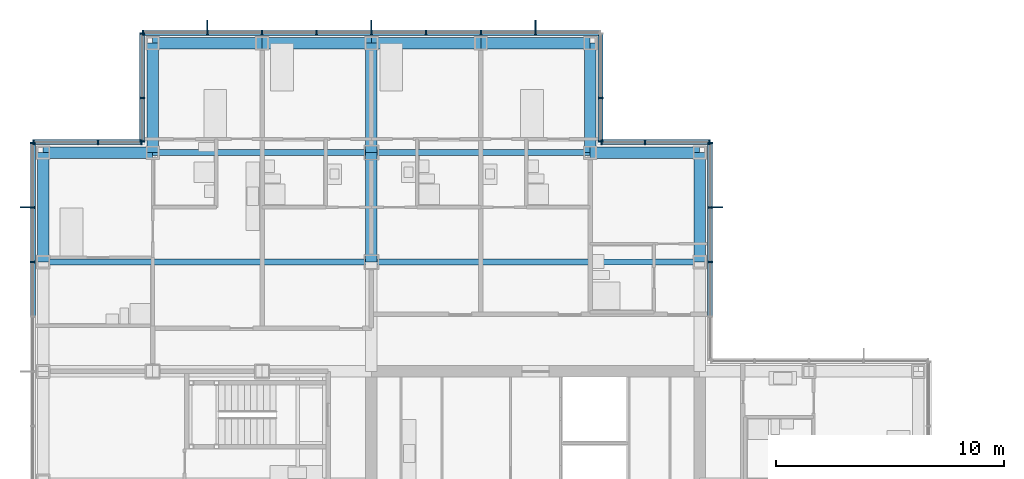
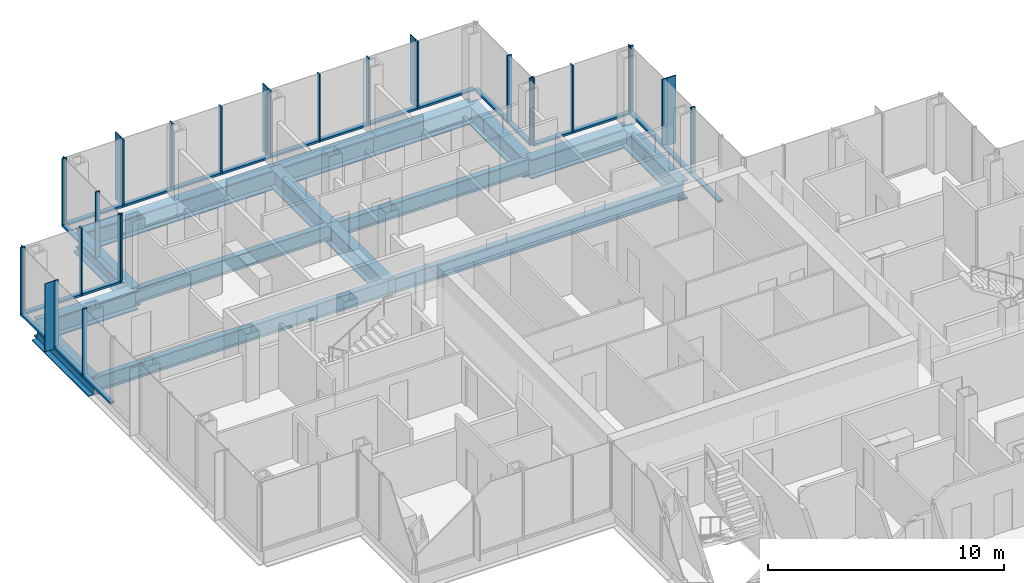
# One storey, part 10 of 20: 52 members, 16 beams, 7 elements without a shape of their own.
"""IFC4 building model written with IfcOpenShell, lengths in metres."""

from ifc_helpers import new_model, si_unit, direction, frame, origin, origin_2d, place, context, subcontext, project, spatial, rectangle, i_section, extrude, material, material_profile, profile_set, type_object, element, aggregate, save


model = new_model("IFC4")

# Units and contexts
model_context = context("Model", 3, precision=1e-05, world=origin(), true_north=direction((0.0, 1.0)))
body_context = subcontext(model_context, "Body", "Model", "MODEL_VIEW")
ifc_project = project(units=[si_unit("LENGTHUNIT", "METRE"), si_unit("AREAUNIT", "SQUARE_METRE"), si_unit("VOLUMEUNIT", "CUBIC_METRE"), si_unit("PLANEANGLEUNIT", "RADIAN"), si_unit("MASSUNIT", "GRAM", prefix="KILO")], contexts=[model_context])

# Site, building, storey
site_placement = place(None, origin())
site = spatial("IfcSite", under=ifc_project, at=site_placement, CompositionType="ELEMENT")
building_placement = place(site_placement, origin())
building = spatial("IfcBuilding", under=site, at=building_placement, Name="Kvirike Care Tower", CompositionType="ELEMENT")
storey_placement = place(building_placement, frame((0.0, 0.0, 122.5)))
storey = spatial("IfcBuildingStorey", under=building, at=storey_placement, Name="L33", CompositionType="ELEMENT", Elevation=122.5)

# Curtain wall, member
ifc_material_1 = material(Name="Anodised aluminium stick system", Category="aluminium")
curtain_wall_type = type_object("IfcCurtainWallType", Name="CW-B STICK CURTAIN WALL", PredefinedType="NOTDEFINED", material=ifc_material_1)
curtain_wall_1_placement = place(storey_placement, origin())
curtain_wall_1 = element("IfcCurtainWall", 1, at=curtain_wall_1_placement, inside=storey, type_object=curtain_wall_type, Name="Curtain wall L33 face 5", PredefinedType="NOTDEFINED")
ifc_material_2 = material(Name="Bronze anodised aluminium fin", Category="aluminium")
ifc_material_profile_1 = material_profile(ifc_material_2, rectangle(XDim=0.050048828125, YDim=0.449951171875, at=origin_2d()), Name="BRONZE FIN 450")
ifc_profile_set_1 = profile_set([ifc_material_profile_1], Name="Bronze anodised aluminium fin")
member_type_1 = type_object("IfcMemberType", Name="BRONZE FIN 450", PredefinedType="USERDEFINED", material=ifc_profile_set_1)
member_1_placement = place(storey_placement, frame((29.594970703125, 50.39990234375, 0.0), z_axis=(0.0, 0.0, 1.0), x_axis=(0.0, 1.0, 0.0)))
member_1 = element("IfcMember", 2, at=member_1_placement, type_object=member_type_1, Name="Bronze fin L33 face 5.4", ObjectType="FIN", PredefinedType="USERDEFINED", context=body_context, shape_type="SweptSolid", body=[
    extrude(rectangle(XDim=0.050048828125, YDim=0.449951171875, at=origin_2d()), origin(), (0.0, 0.0, 1.0), 3.5),
])

# Curtain wall, members
curtain_wall_2_placement = place(storey_placement, origin())
curtain_wall_2 = element("IfcCurtainWall", 3, at=curtain_wall_2_placement, inside=storey, type_object=curtain_wall_type, Name="Curtain wall L33 face 8", PredefinedType="NOTDEFINED")
member_2_placement = place(storey_placement, frame((21.60009765625, 58.39501953125, 0.0), z_axis=(0.0, 0.0, 1.0), x_axis=(-1.0, 0.0, 0.0)))
member_2 = element("IfcMember", 4, at=member_2_placement, type_object=member_type_1, Name="Bronze fin L33 face 8.2", ObjectType="FIN", PredefinedType="USERDEFINED", context=body_context, shape_type="SweptSolid", body=[
    extrude(rectangle(XDim=0.050048828125, YDim=0.449951171875, at=origin_2d()), origin(), (0.0, 0.0, 1.0), 3.5),
])
member_3_placement = place(storey_placement, frame((14.39990234375, 58.39501953125, 0.0), z_axis=(0.0, 0.0, 1.0), x_axis=(-1.0, 0.0, 0.0)))
member_3 = element("IfcMember", 5, at=member_3_placement, type_object=member_type_1, Name="Bronze fin L33 face 8.5", ObjectType="FIN", PredefinedType="USERDEFINED", context=body_context, shape_type="SweptSolid", body=[
    extrude(rectangle(XDim=0.050048828125, YDim=0.449951171875, at=origin_2d()), origin(), (0.0, 0.0, 1.0), 3.5),
])
member_4_placement = place(storey_placement, frame((7.199951171875, 58.39501953125, 0.0), z_axis=(0.0, 0.0, 1.0), x_axis=(-1.0, 0.0, 0.0)))
member_4 = element("IfcMember", 6, at=member_4_placement, type_object=member_type_1, Name="Bronze fin L33 face 8.8", ObjectType="FIN", PredefinedType="USERDEFINED", context=body_context, shape_type="SweptSolid", body=[
    extrude(rectangle(XDim=0.050048828125, YDim=0.449951171875, at=origin_2d()), origin(), (0.0, 0.0, 1.0), 3.5),
])

# Curtain wall, member
curtain_wall_3_placement = place(storey_placement, origin())
curtain_wall_3 = element("IfcCurtainWall", 7, at=curtain_wall_3_placement, inside=storey, type_object=curtain_wall_type, Name="Curtain wall L33 face 11", PredefinedType="NOTDEFINED")
member_5_placement = place(storey_placement, frame((-0.794921875, 50.39990234375, 0.0), z_axis=(0.0, 0.0, 1.0), x_axis=(0.0, -1.0, 0.0)))
member_5 = element("IfcMember", 8, at=member_5_placement, type_object=member_type_1, Name="Bronze fin L33 face 11.2", ObjectType="FIN", PredefinedType="USERDEFINED", context=body_context, shape_type="SweptSolid", body=[
    extrude(rectangle(XDim=0.050048828125, YDim=0.449951171875, at=origin_2d()), origin(), (0.0, 0.0, 1.0), 3.5),
])

# Member
ifc_material_3 = material(Name="Bronze anodised aluminium mullion", Category="aluminium")
ifc_material_profile_2 = material_profile(ifc_material_3, rectangle(XDim=0.06494140625, YDim=0.219970703125, at=origin_2d()), Name="CW-B MULLION 65x220")
ifc_profile_set_2 = profile_set([ifc_material_profile_2], Name="Bronze anodised aluminium mullion")
member_type_2 = type_object("IfcMemberType", Name="CW-B MULLION 65x220", PredefinedType="MULLION", material=ifc_profile_set_2)
member_6_placement = place(storey_placement, frame((29.260009765625, 48.0, 0.0), z_axis=(0.0, 0.0, 1.0), x_axis=(0.0, 1.0, 0.0)))
member_6 = element("IfcMember", 9, at=member_6_placement, type_object=member_type_2, Name="CW-B mullion L33 face 5.3", PredefinedType="MULLION", context=body_context, shape_type="SweptSolid", body=[
    extrude(rectangle(XDim=0.06494140625, YDim=0.219970703125, at=origin_2d()), origin(), (0.0, 0.0, 1.0), 3.5),
])

member_7_placement = place(storey_placement, frame((29.260009765625, 50.39990234375, 0.0), z_axis=(0.0, 0.0, 1.0), x_axis=(0.0, 1.0, 0.0)))
member_7 = element("IfcMember", 10, at=member_7_placement, type_object=member_type_2, Name="CW-B mullion L33 face 5.4", PredefinedType="MULLION", context=body_context, shape_type="SweptSolid", body=[
    extrude(rectangle(XDim=0.06494140625, YDim=0.219970703125, at=origin_2d()), origin(), (0.0, 0.0, 1.0), 3.5),
])

member_8_placement = place(storey_placement, frame((29.260009765625, 53.2275390625, 0.0), z_axis=(0.0, 0.0, 1.0), x_axis=(0.0, 1.0, 0.0)))
member_8 = element("IfcMember", 11, at=member_8_placement, type_object=member_type_2, Name="CW-B mullion L33 face 5.5", PredefinedType="MULLION", context=body_context, shape_type="SweptSolid", body=[
    extrude(rectangle(XDim=0.06494140625, YDim=0.219970703125, at=origin_2d()), origin(), (0.0, 0.0, 1.0), 3.5),
])

# Curtain wall, members
curtain_wall_4_placement = place(storey_placement, origin())
curtain_wall_4 = element("IfcCurtainWall", 12, at=curtain_wall_4_placement, inside=storey, type_object=curtain_wall_type, Name="Curtain wall L33 face 6", PredefinedType="NOTDEFINED")
member_9_placement = place(storey_placement, frame((29.2275390625, 53.260009765625, 0.0), z_axis=(0.0, 0.0, 1.0), x_axis=(-1.0, 0.0, 0.0)))
member_9 = element("IfcMember", 13, at=member_9_placement, type_object=member_type_2, Name="CW-B mullion L33 face 6.1", PredefinedType="MULLION", context=body_context, shape_type="SweptSolid", body=[
    extrude(rectangle(XDim=0.06494140625, YDim=0.219970703125, at=origin_2d()), origin(), (0.0, 0.0, 1.0), 3.5),
])
member_10_placement = place(storey_placement, frame((26.39990234375, 53.260009765625, 0.0), z_axis=(0.0, 0.0, 1.0), x_axis=(-1.0, 0.0, 0.0)))
member_10 = element("IfcMember", 14, at=member_10_placement, type_object=member_type_2, Name="CW-B mullion L33 face 6.2", PredefinedType="MULLION", context=body_context, shape_type="SweptSolid", body=[
    extrude(rectangle(XDim=0.06494140625, YDim=0.219970703125, at=origin_2d()), origin(), (0.0, 0.0, 1.0), 3.5),
])
member_11_placement = place(storey_placement, frame((24.492431640625, 53.260009765625, 0.0), z_axis=(0.0, 0.0, 1.0), x_axis=(-1.0, 0.0, 0.0)))
member_11 = element("IfcMember", 15, at=member_11_placement, type_object=member_type_2, Name="CW-B mullion L33 face 6.3", PredefinedType="MULLION", context=body_context, shape_type="SweptSolid", body=[
    extrude(rectangle(XDim=0.06494140625, YDim=0.219970703125, at=origin_2d()), origin(), (0.0, 0.0, 1.0), 3.5),
])

curtain_wall_5_placement = place(storey_placement, origin())
curtain_wall_5 = element("IfcCurtainWall", 16, at=curtain_wall_5_placement, inside=storey, type_object=curtain_wall_type, Name="Curtain wall L33 face 7", PredefinedType="NOTDEFINED")
member_12_placement = place(storey_placement, frame((24.4599609375, 53.29248046875, 0.0), z_axis=(0.0, 0.0, 1.0), x_axis=(0.0, 1.0, 0.0)))
member_12 = element("IfcMember", 17, at=member_12_placement, type_object=member_type_2, Name="CW-B mullion L33 face 7.1", PredefinedType="MULLION", context=body_context, shape_type="SweptSolid", body=[
    extrude(rectangle(XDim=0.06494140625, YDim=0.219970703125, at=origin_2d()), origin(), (0.0, 0.0, 1.0), 3.5),
])
member_13_placement = place(storey_placement, frame((24.4599609375, 55.199951171875, 0.0), z_axis=(0.0, 0.0, 1.0), x_axis=(0.0, 1.0, 0.0)))
member_13 = element("IfcMember", 18, at=member_13_placement, type_object=member_type_2, Name="CW-B mullion L33 face 7.2", PredefinedType="MULLION", context=body_context, shape_type="SweptSolid", body=[
    extrude(rectangle(XDim=0.06494140625, YDim=0.219970703125, at=origin_2d()), origin(), (0.0, 0.0, 1.0), 3.5),
])

# Member
member_14_placement = place(storey_placement, frame((21.60009765625, 58.06005859375, 0.0), z_axis=(0.0, 0.0, 1.0), x_axis=(-1.0, 0.0, 0.0)))
member_14 = element("IfcMember", 19, at=member_14_placement, type_object=member_type_2, Name="CW-B mullion L33 face 8.2", PredefinedType="MULLION", context=body_context, shape_type="SweptSolid", body=[
    extrude(rectangle(XDim=0.06494140625, YDim=0.219970703125, at=origin_2d()), origin(), (0.0, 0.0, 1.0), 3.5),
])

member_15_placement = place(storey_placement, frame((19.199951171875, 58.06005859375, 0.0), z_axis=(0.0, 0.0, 1.0), x_axis=(-1.0, 0.0, 0.0)))
member_15 = element("IfcMember", 20, at=member_15_placement, type_object=member_type_2, Name="CW-B mullion L33 face 8.3", PredefinedType="MULLION", context=body_context, shape_type="SweptSolid", body=[
    extrude(rectangle(XDim=0.06494140625, YDim=0.219970703125, at=origin_2d()), origin(), (0.0, 0.0, 1.0), 3.5),
])

member_16_placement = place(storey_placement, frame((16.800048828125, 58.06005859375, 0.0), z_axis=(0.0, 0.0, 1.0), x_axis=(-1.0, 0.0, 0.0)))
member_16 = element("IfcMember", 21, at=member_16_placement, type_object=member_type_2, Name="CW-B mullion L33 face 8.4", PredefinedType="MULLION", context=body_context, shape_type="SweptSolid", body=[
    extrude(rectangle(XDim=0.06494140625, YDim=0.219970703125, at=origin_2d()), origin(), (0.0, 0.0, 1.0), 3.5),
])

member_17_placement = place(storey_placement, frame((14.39990234375, 58.06005859375, 0.0), z_axis=(0.0, 0.0, 1.0), x_axis=(-1.0, 0.0, 0.0)))
member_17 = element("IfcMember", 22, at=member_17_placement, type_object=member_type_2, Name="CW-B mullion L33 face 8.5", PredefinedType="MULLION", context=body_context, shape_type="SweptSolid", body=[
    extrude(rectangle(XDim=0.06494140625, YDim=0.219970703125, at=origin_2d()), origin(), (0.0, 0.0, 1.0), 3.5),
])

member_18_placement = place(storey_placement, frame((12.0, 58.06005859375, 0.0), z_axis=(0.0, 0.0, 1.0), x_axis=(-1.0, 0.0, 0.0)))
member_18 = element("IfcMember", 23, at=member_18_placement, type_object=member_type_2, Name="CW-B mullion L33 face 8.6", PredefinedType="MULLION", context=body_context, shape_type="SweptSolid", body=[
    extrude(rectangle(XDim=0.06494140625, YDim=0.219970703125, at=origin_2d()), origin(), (0.0, 0.0, 1.0), 3.5),
])

member_19_placement = place(storey_placement, frame((9.60009765625, 58.06005859375, 0.0), z_axis=(0.0, 0.0, 1.0), x_axis=(-1.0, 0.0, 0.0)))
member_19 = element("IfcMember", 24, at=member_19_placement, type_object=member_type_2, Name="CW-B mullion L33 face 8.7", PredefinedType="MULLION", context=body_context, shape_type="SweptSolid", body=[
    extrude(rectangle(XDim=0.06494140625, YDim=0.219970703125, at=origin_2d()), origin(), (0.0, 0.0, 1.0), 3.5),
])

member_20_placement = place(storey_placement, frame((7.199951171875, 58.06005859375, 0.0), z_axis=(0.0, 0.0, 1.0), x_axis=(-1.0, 0.0, 0.0)))
member_20 = element("IfcMember", 25, at=member_20_placement, type_object=member_type_2, Name="CW-B mullion L33 face 8.8", PredefinedType="MULLION", context=body_context, shape_type="SweptSolid", body=[
    extrude(rectangle(XDim=0.06494140625, YDim=0.219970703125, at=origin_2d()), origin(), (0.0, 0.0, 1.0), 3.5),
])

member_21_placement = place(storey_placement, frame((4.37255859375, 58.06005859375, 0.0), z_axis=(0.0, 0.0, 1.0), x_axis=(-1.0, 0.0, 0.0)))
member_21 = element("IfcMember", 26, at=member_21_placement, type_object=member_type_2, Name="CW-B mullion L33 face 8.9", PredefinedType="MULLION", context=body_context, shape_type="SweptSolid", body=[
    extrude(rectangle(XDim=0.06494140625, YDim=0.219970703125, at=origin_2d()), origin(), (0.0, 0.0, 1.0), 3.5),
])

# Curtain wall, members
curtain_wall_6_placement = place(storey_placement, origin())
curtain_wall_6 = element("IfcCurtainWall", 27, at=curtain_wall_6_placement, inside=storey, type_object=curtain_wall_type, Name="Curtain wall L33 face 9", PredefinedType="NOTDEFINED")
member_22_placement = place(storey_placement, frame((4.340087890625, 58.027587890625, 0.0), z_axis=(0.0, 0.0, 1.0), x_axis=(0.0, -1.0, 0.0)))
member_22 = element("IfcMember", 28, at=member_22_placement, type_object=member_type_2, Name="CW-B mullion L33 face 9.1", PredefinedType="MULLION", context=body_context, shape_type="SweptSolid", body=[
    extrude(rectangle(XDim=0.06494140625, YDim=0.219970703125, at=origin_2d()), origin(), (0.0, 0.0, 1.0), 3.5),
])
member_23_placement = place(storey_placement, frame((4.340087890625, 55.199951171875, 0.0), z_axis=(0.0, 0.0, 1.0), x_axis=(0.0, -1.0, 0.0)))
member_23 = element("IfcMember", 29, at=member_23_placement, type_object=member_type_2, Name="CW-B mullion L33 face 9.2", PredefinedType="MULLION", context=body_context, shape_type="SweptSolid", body=[
    extrude(rectangle(XDim=0.06494140625, YDim=0.219970703125, at=origin_2d()), origin(), (0.0, 0.0, 1.0), 3.5),
])
member_24_placement = place(storey_placement, frame((4.340087890625, 53.29248046875, 0.0), z_axis=(0.0, 0.0, 1.0), x_axis=(0.0, -1.0, 0.0)))
member_24 = element("IfcMember", 30, at=member_24_placement, type_object=member_type_2, Name="CW-B mullion L33 face 9.3", PredefinedType="MULLION", context=body_context, shape_type="SweptSolid", body=[
    extrude(rectangle(XDim=0.06494140625, YDim=0.219970703125, at=origin_2d()), origin(), (0.0, 0.0, 1.0), 3.5),
])

curtain_wall_7_placement = place(storey_placement, origin())
curtain_wall_7 = element("IfcCurtainWall", 31, at=curtain_wall_7_placement, inside=storey, type_object=curtain_wall_type, Name="Curtain wall L33 face 10", PredefinedType="NOTDEFINED")
member_25_placement = place(storey_placement, frame((4.3076171875, 53.260009765625, 0.0), z_axis=(0.0, 0.0, 1.0), x_axis=(-1.0, 0.0, 0.0)))
member_25 = element("IfcMember", 32, at=member_25_placement, type_object=member_type_2, Name="CW-B mullion L33 face 10.1", PredefinedType="MULLION", context=body_context, shape_type="SweptSolid", body=[
    extrude(rectangle(XDim=0.06494140625, YDim=0.219970703125, at=origin_2d()), origin(), (0.0, 0.0, 1.0), 3.5),
])
member_26_placement = place(storey_placement, frame((2.39990234375, 53.260009765625, 0.0), z_axis=(0.0, 0.0, 1.0), x_axis=(-1.0, 0.0, 0.0)))
member_26 = element("IfcMember", 33, at=member_26_placement, type_object=member_type_2, Name="CW-B mullion L33 face 10.2", PredefinedType="MULLION", context=body_context, shape_type="SweptSolid", body=[
    extrude(rectangle(XDim=0.06494140625, YDim=0.219970703125, at=origin_2d()), origin(), (0.0, 0.0, 1.0), 3.5),
])
member_27_placement = place(storey_placement, frame((-0.427490234375, 53.260009765625, 0.0), z_axis=(0.0, 0.0, 1.0), x_axis=(-1.0, 0.0, 0.0)))
member_27 = element("IfcMember", 34, at=member_27_placement, type_object=member_type_2, Name="CW-B mullion L33 face 10.3", PredefinedType="MULLION", context=body_context, shape_type="SweptSolid", body=[
    extrude(rectangle(XDim=0.06494140625, YDim=0.219970703125, at=origin_2d()), origin(), (0.0, 0.0, 1.0), 3.5),
])

# Member
member_28_placement = place(storey_placement, frame((-0.4599609375, 53.2275390625, 0.0), z_axis=(0.0, 0.0, 1.0), x_axis=(0.0, -1.0, 0.0)))
member_28 = element("IfcMember", 35, at=member_28_placement, type_object=member_type_2, Name="CW-B mullion L33 face 11.1", PredefinedType="MULLION", context=body_context, shape_type="SweptSolid", body=[
    extrude(rectangle(XDim=0.06494140625, YDim=0.219970703125, at=origin_2d()), origin(), (0.0, 0.0, 1.0), 3.5),
])

member_29_placement = place(storey_placement, frame((-0.4599609375, 50.39990234375, 0.0), z_axis=(0.0, 0.0, 1.0), x_axis=(0.0, -1.0, 0.0)))
member_29 = element("IfcMember", 36, at=member_29_placement, type_object=member_type_2, Name="CW-B mullion L33 face 11.2", PredefinedType="MULLION", context=body_context, shape_type="SweptSolid", body=[
    extrude(rectangle(XDim=0.06494140625, YDim=0.219970703125, at=origin_2d()), origin(), (0.0, 0.0, 1.0), 3.5),
])

member_30_placement = place(storey_placement, frame((-0.4599609375, 48.0, 0.0), z_axis=(0.0, 0.0, 1.0), x_axis=(0.0, -1.0, 0.0)))
member_30 = element("IfcMember", 37, at=member_30_placement, type_object=member_type_2, Name="CW-B mullion L33 face 11.3", PredefinedType="MULLION", context=body_context, shape_type="SweptSolid", body=[
    extrude(rectangle(XDim=0.06494140625, YDim=0.219970703125, at=origin_2d()), origin(), (0.0, 0.0, 1.0), 3.5),
])

ifc_material_4 = material(Name="Bronze anodised aluminium transom", Category="aluminium")
ifc_material_profile_3 = material_profile(ifc_material_4, rectangle(XDim=0.219970703125, YDim=0.10009765625, at=origin_2d()), Name="CW-B TRANSOM 220x100")
ifc_profile_set_3 = profile_set([ifc_material_profile_3], Name="Bronze anodised aluminium transom")
member_type_3 = type_object("IfcMemberType", Name="CW-B TRANSOM 220x100", PredefinedType="USERDEFINED", material=ifc_profile_set_3)
member_31_placement = place(storey_placement, frame((29.260009765625, 45.632568359375, 0.050048828125), z_axis=(0.0, 1.0, 0.0), x_axis=(-1.0, 0.0, 0.0)))
member_31 = element("IfcMember", 38, at=member_31_placement, type_object=member_type_3, Name="CW-B sill transom L33 face 5.2", ObjectType="TRANSOM", PredefinedType="USERDEFINED", context=body_context, shape_type="SweptSolid", body=[
    extrude(rectangle(XDim=0.219970703125, YDim=0.10009765625, at=origin_2d()), origin(), (0.0, 0.0, 1.0), 2.3349609375),
])

member_32_placement = place(storey_placement, frame((29.260009765625, 48.032470703125, 0.050048828125), z_axis=(0.0, 1.0, 0.0), x_axis=(-1.0, 0.0, 0.0)))
member_32 = element("IfcMember", 39, at=member_32_placement, type_object=member_type_3, Name="CW-B sill transom L33 face 5.3", ObjectType="TRANSOM", PredefinedType="USERDEFINED", context=body_context, shape_type="SweptSolid", body=[
    extrude(rectangle(XDim=0.219970703125, YDim=0.10009765625, at=origin_2d()), origin(), (0.0, 0.0, 1.0), 2.3349609375),
])

member_33_placement = place(storey_placement, frame((29.260009765625, 50.4326171875, 0.050048828125), z_axis=(0.0, 1.0, 0.0), x_axis=(-1.0, 0.0, 0.0)))
member_33 = element("IfcMember", 40, at=member_33_placement, type_object=member_type_3, Name="CW-B sill transom L33 face 5.4", ObjectType="TRANSOM", PredefinedType="USERDEFINED", context=body_context, shape_type="SweptSolid", body=[
    extrude(rectangle(XDim=0.219970703125, YDim=0.10009765625, at=origin_2d()), origin(), (0.0, 0.0, 1.0), 2.762451171875),
])

aggregate(curtain_wall_1, [member_6, member_7, member_1, member_8, member_31, member_32, member_33])

member_34_placement = place(storey_placement, frame((29.195068359375, 53.260009765625, 0.050048828125), z_axis=(-1.0, 0.0, 0.0), x_axis=(0.0, -1.0, 0.0)))
member_34 = element("IfcMember", 41, at=member_34_placement, type_object=member_type_3, Name="CW-B sill transom L33 face 6.1", ObjectType="TRANSOM", PredefinedType="USERDEFINED", context=body_context, shape_type="SweptSolid", body=[
    extrude(rectangle(XDim=0.219970703125, YDim=0.10009765625, at=origin_2d()), origin(), (0.0, 0.0, 1.0), 2.762451171875),
])

member_35_placement = place(storey_placement, frame((26.367431640625, 53.260009765625, 0.050048828125), z_axis=(-1.0, 0.0, 0.0), x_axis=(0.0, -1.0, 0.0)))
member_35 = element("IfcMember", 42, at=member_35_placement, type_object=member_type_3, Name="CW-B sill transom L33 face 6.2", ObjectType="TRANSOM", PredefinedType="USERDEFINED", context=body_context, shape_type="SweptSolid", body=[
    extrude(rectangle(XDim=0.219970703125, YDim=0.10009765625, at=origin_2d()), origin(), (0.0, 0.0, 1.0), 1.842529296875),
])

aggregate(curtain_wall_4, [member_9, member_10, member_11, member_34, member_35])

member_36_placement = place(storey_placement, frame((24.4599609375, 53.324951171875, 0.050048828125), z_axis=(0.0, 1.0, 0.0), x_axis=(-1.0, 0.0, 0.0)))
member_36 = element("IfcMember", 43, at=member_36_placement, type_object=member_type_3, Name="CW-B sill transom L33 face 7.1", ObjectType="TRANSOM", PredefinedType="USERDEFINED", context=body_context, shape_type="SweptSolid", body=[
    extrude(rectangle(XDim=0.219970703125, YDim=0.10009765625, at=origin_2d()), origin(), (0.0, 0.0, 1.0), 1.842529296875),
])

member_37_placement = place(storey_placement, frame((24.4599609375, 55.232421875, 0.050048828125), z_axis=(0.0, 1.0, 0.0), x_axis=(-1.0, 0.0, 0.0)))
member_37 = element("IfcMember", 44, at=member_37_placement, type_object=member_type_3, Name="CW-B sill transom L33 face 7.2", ObjectType="TRANSOM", PredefinedType="USERDEFINED", context=body_context, shape_type="SweptSolid", body=[
    extrude(rectangle(XDim=0.219970703125, YDim=0.10009765625, at=origin_2d()), origin(), (0.0, 0.0, 1.0), 2.7626953125),
])

aggregate(curtain_wall_5, [member_12, member_13, member_36, member_37])

member_38_placement = place(storey_placement, frame((24.39501953125, 58.06005859375, 0.050048828125), z_axis=(-1.0, 0.0, 0.0), x_axis=(0.0, -1.0, 0.0)))
member_38 = element("IfcMember", 45, at=member_38_placement, type_object=member_type_3, Name="CW-B sill transom L33 face 8.1", ObjectType="TRANSOM", PredefinedType="USERDEFINED", context=body_context, shape_type="SweptSolid", body=[
    extrude(rectangle(XDim=0.219970703125, YDim=0.10009765625, at=origin_2d()), origin(), (0.0, 0.0, 1.0), 2.762451171875),
])

member_39_placement = place(storey_placement, frame((21.5673828125, 58.06005859375, 0.050048828125), z_axis=(-1.0, 0.0, 0.0), x_axis=(0.0, -1.0, 0.0)))
member_39 = element("IfcMember", 46, at=member_39_placement, type_object=member_type_3, Name="CW-B sill transom L33 face 8.2", ObjectType="TRANSOM", PredefinedType="USERDEFINED", context=body_context, shape_type="SweptSolid", body=[
    extrude(rectangle(XDim=0.219970703125, YDim=0.10009765625, at=origin_2d()), origin(), (0.0, 0.0, 1.0), 2.3349609375),
])

member_40_placement = place(storey_placement, frame((19.16748046875, 58.06005859375, 0.050048828125), z_axis=(-1.0, 0.0, 0.0), x_axis=(0.0, -1.0, 0.0)))
member_40 = element("IfcMember", 47, at=member_40_placement, type_object=member_type_3, Name="CW-B sill transom L33 face 8.3", ObjectType="TRANSOM", PredefinedType="USERDEFINED", context=body_context, shape_type="SweptSolid", body=[
    extrude(rectangle(XDim=0.219970703125, YDim=0.10009765625, at=origin_2d()), origin(), (0.0, 0.0, 1.0), 2.3349609375),
])

member_41_placement = place(storey_placement, frame((16.767578125, 58.06005859375, 0.050048828125), z_axis=(-1.0, 0.0, 0.0), x_axis=(0.0, -1.0, 0.0)))
member_41 = element("IfcMember", 48, at=member_41_placement, type_object=member_type_3, Name="CW-B sill transom L33 face 8.4", ObjectType="TRANSOM", PredefinedType="USERDEFINED", context=body_context, shape_type="SweptSolid", body=[
    extrude(rectangle(XDim=0.219970703125, YDim=0.10009765625, at=origin_2d()), origin(), (0.0, 0.0, 1.0), 2.3349609375),
])

member_42_placement = place(storey_placement, frame((14.367431640625, 58.06005859375, 0.050048828125), z_axis=(-1.0, 0.0, 0.0), x_axis=(0.0, -1.0, 0.0)))
member_42 = element("IfcMember", 49, at=member_42_placement, type_object=member_type_3, Name="CW-B sill transom L33 face 8.5", ObjectType="TRANSOM", PredefinedType="USERDEFINED", context=body_context, shape_type="SweptSolid", body=[
    extrude(rectangle(XDim=0.219970703125, YDim=0.10009765625, at=origin_2d()), origin(), (0.0, 0.0, 1.0), 2.3349609375),
])

member_43_placement = place(storey_placement, frame((11.967529296875, 58.06005859375, 0.050048828125), z_axis=(-1.0, 0.0, 0.0), x_axis=(0.0, -1.0, 0.0)))
member_43 = element("IfcMember", 50, at=member_43_placement, type_object=member_type_3, Name="CW-B sill transom L33 face 8.6", ObjectType="TRANSOM", PredefinedType="USERDEFINED", context=body_context, shape_type="SweptSolid", body=[
    extrude(rectangle(XDim=0.219970703125, YDim=0.10009765625, at=origin_2d()), origin(), (0.0, 0.0, 1.0), 2.3349609375),
])

member_44_placement = place(storey_placement, frame((9.5673828125, 58.06005859375, 0.050048828125), z_axis=(-1.0, 0.0, 0.0), x_axis=(0.0, -1.0, 0.0)))
member_44 = element("IfcMember", 51, at=member_44_placement, type_object=member_type_3, Name="CW-B sill transom L33 face 8.7", ObjectType="TRANSOM", PredefinedType="USERDEFINED", context=body_context, shape_type="SweptSolid", body=[
    extrude(rectangle(XDim=0.219970703125, YDim=0.10009765625, at=origin_2d()), origin(), (0.0, 0.0, 1.0), 2.3349609375),
])

member_45_placement = place(storey_placement, frame((7.16748046875, 58.06005859375, 0.050048828125), z_axis=(-1.0, 0.0, 0.0), x_axis=(0.0, -1.0, 0.0)))
member_45 = element("IfcMember", 52, at=member_45_placement, type_object=member_type_3, Name="CW-B sill transom L33 face 8.8", ObjectType="TRANSOM", PredefinedType="USERDEFINED", context=body_context, shape_type="SweptSolid", body=[
    extrude(rectangle(XDim=0.219970703125, YDim=0.10009765625, at=origin_2d()), origin(), (0.0, 0.0, 1.0), 2.762451171875),
])

aggregate(curtain_wall_2, [member_14, member_2, member_15, member_16, member_17, member_3, member_18, member_19, member_20, member_4, member_21, member_38, member_39, member_40, member_41, member_42, member_43, member_44, member_45])

member_46_placement = place(storey_placement, frame((4.340087890625, 57.9951171875, 0.050048828125), z_axis=(0.0, -1.0, 0.0), x_axis=(1.0, 0.0, 0.0)))
member_46 = element("IfcMember", 53, at=member_46_placement, type_object=member_type_3, Name="CW-B sill transom L33 face 9.1", ObjectType="TRANSOM", PredefinedType="USERDEFINED", context=body_context, shape_type="SweptSolid", body=[
    extrude(rectangle(XDim=0.219970703125, YDim=0.10009765625, at=origin_2d()), origin(), (0.0, 0.0, 1.0), 2.7626953125),
])

member_47_placement = place(storey_placement, frame((4.340087890625, 55.16748046875, 0.050048828125), z_axis=(0.0, -1.0, 0.0), x_axis=(1.0, 0.0, 0.0)))
member_47 = element("IfcMember", 54, at=member_47_placement, type_object=member_type_3, Name="CW-B sill transom L33 face 9.2", ObjectType="TRANSOM", PredefinedType="USERDEFINED", context=body_context, shape_type="SweptSolid", body=[
    extrude(rectangle(XDim=0.219970703125, YDim=0.10009765625, at=origin_2d()), origin(), (0.0, 0.0, 1.0), 1.842529296875),
])

aggregate(curtain_wall_6, [member_22, member_23, member_24, member_46, member_47])

member_48_placement = place(storey_placement, frame((4.27490234375, 53.260009765625, 0.050048828125), z_axis=(-1.0, 0.0, 0.0), x_axis=(0.0, -1.0, 0.0)))
member_48 = element("IfcMember", 55, at=member_48_placement, type_object=member_type_3, Name="CW-B sill transom L33 face 10.1", ObjectType="TRANSOM", PredefinedType="USERDEFINED", context=body_context, shape_type="SweptSolid", body=[
    extrude(rectangle(XDim=0.219970703125, YDim=0.10009765625, at=origin_2d()), origin(), (0.0, 0.0, 1.0), 1.84228515625),
])

member_49_placement = place(storey_placement, frame((2.367431640625, 53.260009765625, 0.050048828125), z_axis=(-1.0, 0.0, 0.0), x_axis=(0.0, -1.0, 0.0)))
member_49 = element("IfcMember", 56, at=member_49_placement, type_object=member_type_3, Name="CW-B sill transom L33 face 10.2", ObjectType="TRANSOM", PredefinedType="USERDEFINED", context=body_context, shape_type="SweptSolid", body=[
    extrude(rectangle(XDim=0.219970703125, YDim=0.10009765625, at=origin_2d()), origin(), (0.0, 0.0, 1.0), 2.762451171875),
])

aggregate(curtain_wall_7, [member_25, member_26, member_27, member_48, member_49])

member_50_placement = place(storey_placement, frame((-0.4599609375, 53.195068359375, 0.050048828125), z_axis=(0.0, -1.0, 0.0), x_axis=(1.0, 0.0, 0.0)))
member_50 = element("IfcMember", 57, at=member_50_placement, type_object=member_type_3, Name="CW-B sill transom L33 face 11.1", ObjectType="TRANSOM", PredefinedType="USERDEFINED", context=body_context, shape_type="SweptSolid", body=[
    extrude(rectangle(XDim=0.219970703125, YDim=0.10009765625, at=origin_2d()), origin(), (0.0, 0.0, 1.0), 2.762451171875),
])

member_51_placement = place(storey_placement, frame((-0.4599609375, 50.367431640625, 0.050048828125), z_axis=(0.0, -1.0, 0.0), x_axis=(1.0, 0.0, 0.0)))
member_51 = element("IfcMember", 58, at=member_51_placement, type_object=member_type_3, Name="CW-B sill transom L33 face 11.2", ObjectType="TRANSOM", PredefinedType="USERDEFINED", context=body_context, shape_type="SweptSolid", body=[
    extrude(rectangle(XDim=0.219970703125, YDim=0.10009765625, at=origin_2d()), origin(), (0.0, 0.0, 1.0), 2.3349609375),
])

member_52_placement = place(storey_placement, frame((-0.4599609375, 47.967529296875, 0.050048828125), z_axis=(0.0, -1.0, 0.0), x_axis=(1.0, 0.0, 0.0)))
member_52 = element("IfcMember", 59, at=member_52_placement, type_object=member_type_3, Name="CW-B sill transom L33 face 11.3", ObjectType="TRANSOM", PredefinedType="USERDEFINED", context=body_context, shape_type="SweptSolid", body=[
    extrude(rectangle(XDim=0.219970703125, YDim=0.10009765625, at=origin_2d()), origin(), (0.0, 0.0, 1.0), 2.3349609375),
])

aggregate(curtain_wall_3, [member_28, member_29, member_5, member_30, member_50, member_51, member_52])

# Beams
ifc_material_5 = material(Name="Steel S355", Category="steel")
ifc_material_profile_4 = material_profile(ifc_material_5, i_section(OverallWidth=0.26806640625, OverallDepth=0.77001953125, WebThickness=0.015625, FlangeThickness=0.025390625, FilletRadius=0.01708984375, at=origin_2d()), Name="IPE 750x196")
ifc_profile_set_4 = profile_set([ifc_material_profile_4], Name="Steel S355")
beam_type_1 = type_object("IfcBeamType", Name="FLOOR BEAM IPE 750x196", PredefinedType="BEAM", material=ifc_profile_set_4)
beam_1_placement = place(storey_placement, frame((0.0, 48.0, -0.554931640625), z_axis=(1.0, 0.0, 0.0), x_axis=(0.0, 1.0, 0.0)))
element("IfcBeam", 60, at=beam_1_placement, inside=storey, type_object=beam_type_1, Name="Floor Beam L3-L6 L33", PredefinedType="BEAM", context=body_context, shape_type="SweptSolid", body=[
    extrude(i_section(OverallWidth=0.26806640625, OverallDepth=0.77001953125, WebThickness=0.015625, FlangeThickness=0.025390625, FilletRadius=0.01708984375, at=origin_2d()), origin(), (0.0, 0.0, 1.0), 14.39990234375),
])
beam_2_placement = place(storey_placement, frame((14.39990234375, 48.0, -0.554931640625), z_axis=(1.0, 0.0, 0.0), x_axis=(0.0, 1.0, 0.0)))
element("IfcBeam", 61, at=beam_2_placement, inside=storey, type_object=beam_type_1, Name="Floor Beam L6-L9 L33", PredefinedType="BEAM", context=body_context, shape_type="SweptSolid", body=[
    extrude(i_section(OverallWidth=0.26806640625, OverallDepth=0.77001953125, WebThickness=0.015625, FlangeThickness=0.025390625, FilletRadius=0.01708984375, at=origin_2d()), origin(), (0.0, 0.0, 1.0), 14.400146484375),
])
beam_3_placement = place(storey_placement, frame((4.800048828125, 52.800048828125, -0.554931640625), z_axis=(1.0, 0.0, 0.0), x_axis=(0.0, 1.0, 0.0)))
element("IfcBeam", 62, at=beam_3_placement, inside=storey, type_object=beam_type_1, Name="Floor Beam M4-M6 L33", PredefinedType="BEAM", context=body_context, shape_type="SweptSolid", body=[
    extrude(i_section(OverallWidth=0.26806640625, OverallDepth=0.77001953125, WebThickness=0.015625, FlangeThickness=0.025390625, FilletRadius=0.01708984375, at=origin_2d()), origin(), (0.0, 0.0, 1.0), 9.599853515625),
])
beam_4_placement = place(storey_placement, frame((14.39990234375, 52.800048828125, -0.554931640625), z_axis=(1.0, 0.0, 0.0), x_axis=(0.0, 1.0, 0.0)))
element("IfcBeam", 63, at=beam_4_placement, inside=storey, type_object=beam_type_1, Name="Floor Beam M6-M8 L33", PredefinedType="BEAM", context=body_context, shape_type="SweptSolid", body=[
    extrude(i_section(OverallWidth=0.26806640625, OverallDepth=0.77001953125, WebThickness=0.015625, FlangeThickness=0.025390625, FilletRadius=0.01708984375, at=origin_2d()), origin(), (0.0, 0.0, 1.0), 9.60009765625),
])
ifc_material_6 = material(Name="Steel S355", Category="steel")
ifc_material_profile_5 = material_profile(ifc_material_6, i_section(OverallWidth=0.5, OverallDepth=1.0, WebThickness=0.030029296875, FlangeThickness=0.06005859375, at=origin_2d()), Name="PG 1000x500x30x60")
ifc_profile_set_5 = profile_set([ifc_material_profile_5], Name="Steel S355")
beam_type_2 = type_object("IfcBeamType", Name="FRAME BEAM PG 1000x500x30x60", PredefinedType="BEAM", material=ifc_profile_set_5)
for number, where, z_axis, x_axis, name in (
    (64, (14.39990234375, 48.0, -0.669921875), (0.0, 1.0, 0.0), (-1.0, 0.0, 0.0), "Frame Beam L6-M6 L33"),
    (65, (14.39990234375, 52.800048828125, -0.669921875), (0.0, 1.0, 0.0), (-1.0, 0.0, 0.0), "Frame Beam M6-N6 L33"),
):
    element("IfcBeam", number, at=place(storey_placement, frame(where, z_axis=z_axis, x_axis=x_axis)), inside=storey, type_object=beam_type_2, Name=name, PredefinedType="BEAM", context=body_context, shape_type="SweptSolid", body=[
        extrude(i_section(OverallWidth=0.5, OverallDepth=1.0, WebThickness=0.030029296875, FlangeThickness=0.06005859375, at=origin_2d()), origin(), (0.0, 0.0, 1.0), 4.800048828125),
    ])
ifc_material_7 = material(Name="Steel S355", Category="steel")
ifc_material_profile_6 = material_profile(ifc_material_7, i_section(OverallWidth=0.5, OverallDepth=1.0, WebThickness=0.030029296875, FlangeThickness=0.06005859375, at=origin_2d()), Name="PG 1000x500x30x60")
ifc_profile_set_6 = profile_set([ifc_material_profile_6], Name="Steel S355")
beam_type_3 = type_object("IfcBeamType", Name="SPANDREL PG 1000x500x30x60", PredefinedType="SPANDREL", material=ifc_profile_set_6)
for number, where, z_axis, x_axis, name in (
    (66, (0.0, 52.800048828125, -0.669921875), (1.0, 0.0, 0.0), (0.0, 1.0, 0.0), "Spandrel M3-M4 L33"),
    (67, (24.0, 52.800048828125, -0.669921875), (1.0, 0.0, 0.0), (0.0, 1.0, 0.0), "Spandrel M8-M9 L33"),
    (68, (4.800048828125, 57.60009765625, -0.669921875), (1.0, 0.0, 0.0), (0.0, 1.0, 0.0), "Spandrel N4-N5 L33"),
):
    element("IfcBeam", number, at=place(storey_placement, frame(where, z_axis=z_axis, x_axis=x_axis)), inside=storey, type_object=beam_type_3, Name=name, PredefinedType="SPANDREL", context=body_context, shape_type="SweptSolid", body=[
        extrude(i_section(OverallWidth=0.5, OverallDepth=1.0, WebThickness=0.030029296875, FlangeThickness=0.06005859375, at=origin_2d()), origin(), (0.0, 0.0, 1.0), 4.800048828125),
    ])
beam_5_placement = place(storey_placement, frame((9.60009765625, 57.60009765625, -0.669921875), z_axis=(1.0, 0.0, 0.0), x_axis=(0.0, 1.0, 0.0)))
element("IfcBeam", 69, at=beam_5_placement, inside=storey, type_object=beam_type_3, Name="Spandrel N5-N6 L33", PredefinedType="SPANDREL", context=body_context, shape_type="SweptSolid", body=[
    extrude(i_section(OverallWidth=0.5, OverallDepth=1.0, WebThickness=0.030029296875, FlangeThickness=0.06005859375, at=origin_2d()), origin(), (0.0, 0.0, 1.0), 4.7998046875),
])
for number, where, z_axis, x_axis, name in (
    (70, (14.39990234375, 57.60009765625, -0.669921875), (1.0, 0.0, 0.0), (0.0, 1.0, 0.0), "Spandrel N6-N7 L33"),
    (71, (19.199951171875, 57.60009765625, -0.669921875), (1.0, 0.0, 0.0), (0.0, 1.0, 0.0), "Spandrel N7-N8 L33"),
    (72, (0.0, 48.0, -0.669921875), (0.0, 1.0, 0.0), (-1.0, 0.0, 0.0), "Spandrel L3-M3 L33"),
    (73, (4.800048828125, 52.800048828125, -0.669921875), (0.0, 1.0, 0.0), (-1.0, 0.0, 0.0), "Spandrel M4-N4 L33"),
    (74, (24.0, 52.800048828125, -0.669921875), (0.0, 1.0, 0.0), (-1.0, 0.0, 0.0), "Spandrel M8-N8 L33"),
    (75, (28.800048828125, 48.0, -0.669921875), (0.0, 1.0, 0.0), (-1.0, 0.0, 0.0), "Spandrel L9-M9 L33"),
):
    element("IfcBeam", number, at=place(storey_placement, frame(where, z_axis=z_axis, x_axis=x_axis)), inside=storey, type_object=beam_type_3, Name=name, PredefinedType="SPANDREL", context=body_context, shape_type="SweptSolid", body=[
        extrude(i_section(OverallWidth=0.5, OverallDepth=1.0, WebThickness=0.030029296875, FlangeThickness=0.06005859375, at=origin_2d()), origin(), (0.0, 0.0, 1.0), 4.800048828125),
    ])

save(model, "model.ifc")
